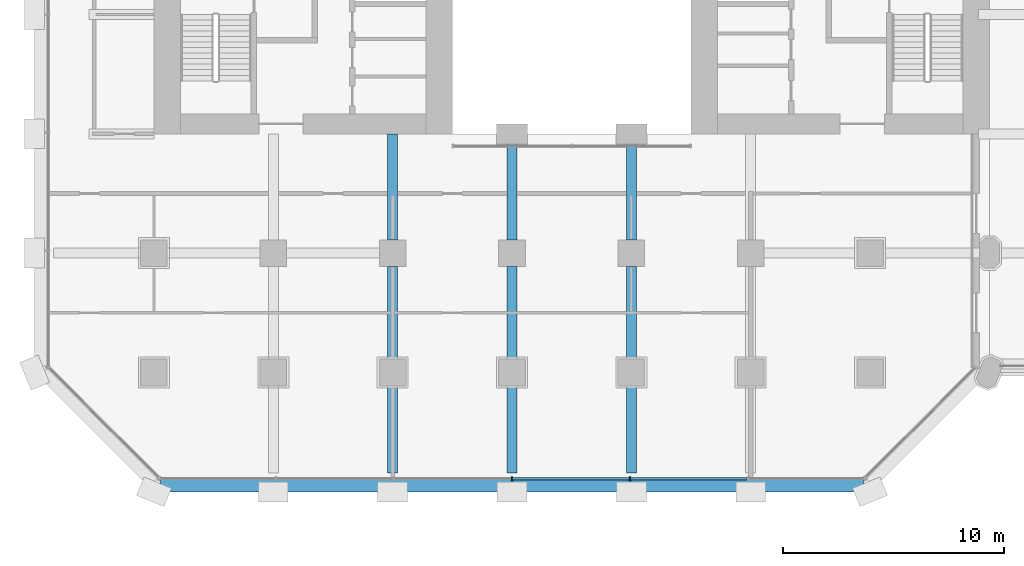
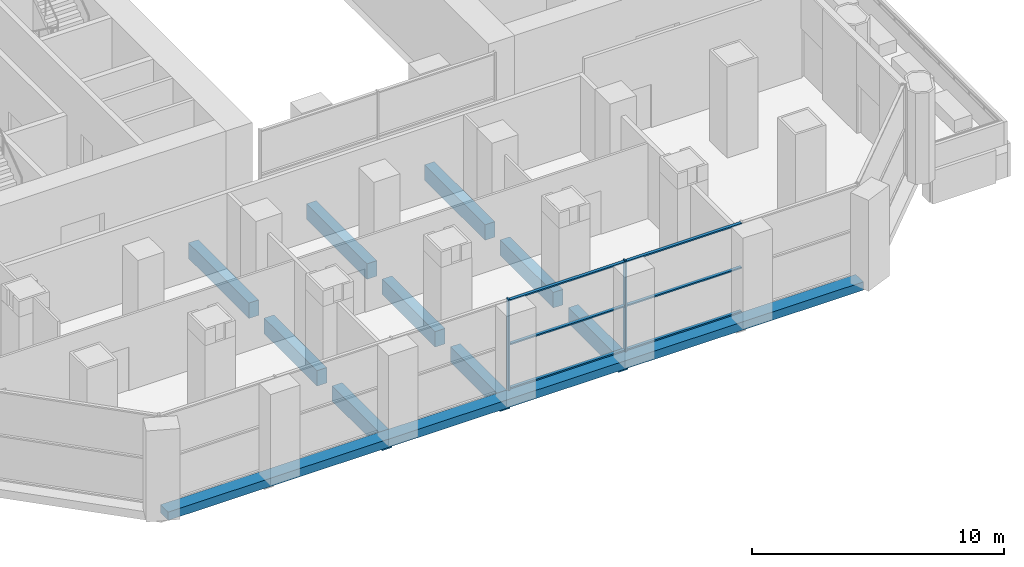
# One storey, part 3 of 42: 10 beams, 8 members, 1 element without a shape of its own.
"""IFC4 building model written with IfcOpenShell, lengths in metres."""

from ifc_helpers import new_model, si_unit, direction, frame, origin, origin_2d, place, context, subcontext, project, spatial, rectangle, extrude, material, material_profile, profile_set, type_object, element, aggregate, save


model = new_model("IFC4")

# Units and contexts
model_context = context("Model", 3, precision=1e-05, world=origin(), true_north=direction((0.0, 1.0)))
body_context = subcontext(model_context, "Body", "Model", "MODEL_VIEW")
ifc_project = project(units=[si_unit("LENGTHUNIT", "METRE"), si_unit("AREAUNIT", "SQUARE_METRE"), si_unit("VOLUMEUNIT", "CUBIC_METRE"), si_unit("PLANEANGLEUNIT", "RADIAN"), si_unit("MASSUNIT", "GRAM", prefix="KILO")], contexts=[model_context])

# Site, building, storey
site_placement = place(None, origin())
site = spatial("IfcSite", under=ifc_project, at=site_placement, CompositionType="ELEMENT")
building_placement = place(site_placement, origin())
building = spatial("IfcBuilding", under=site, at=building_placement, Name="Tabaq Tower and Sports Hall", CompositionType="ELEMENT")
storey_placement = place(building_placement, frame((0.0, 0.0, 19.800048828125)))
storey = spatial("IfcBuildingStorey", under=building, at=storey_placement, Name="L03", CompositionType="ELEMENT", Elevation=19.800048828125)

# Curtain wall, members
ifc_material_1 = material(Name="Aluminium alloy 6063-T6 framed glazing", Category="aluminium")
curtain_wall_type = type_object("IfcCurtainWallType", Name="CW7 curtain wall", PredefinedType="USERDEFINED", material=ifc_material_1)
curtain_wall_placement = place(storey_placement, origin())
curtain_wall = element("IfcCurtainWall", 1, at=curtain_wall_placement, inside=storey, type_object=curtain_wall_type, Name="Podium Wall L03 S", ObjectType="PODIUM WALL", PredefinedType="USERDEFINED")
ifc_material_2 = material(Name="Aluminium alloy 6063-T6", Category="aluminium")
ifc_material_profile_1 = material_profile(ifc_material_2, rectangle(XDim=0.179931640625, YDim=0.06494140625, at=origin_2d()), Name="MULLION 180x65")
ifc_profile_set_1 = profile_set([ifc_material_profile_1], Name="Aluminium alloy 6063-T6")
member_type_1 = type_object("IfcMemberType", Name="CW7 mullion 180x65", PredefinedType="MULLION", material=ifc_profile_set_1)
member_1_placement = place(storey_placement, frame((21.60009765625, 0.60009765625, 0.0), z_axis=(0.0, 0.0, 1.0), x_axis=(0.0, 1.0, 0.0)))
member_1 = element("IfcMember", 2, at=member_1_placement, type_object=member_type_1, Name="CW7 mullion 4", PredefinedType="MULLION", context=body_context, shape_type="SweptSolid", body=[
    extrude(rectangle(XDim=0.179931640625, YDim=0.06494140625, at=origin_2d()), origin(), (0.0, 0.0, 1.0), 4.39990234375),
])
member_2_placement = place(storey_placement, frame((26.93798828125, 0.60009765625, 0.0), z_axis=(0.0, 0.0, 1.0), x_axis=(0.0, 1.0, 0.0)))
member_2 = element("IfcMember", 3, at=member_2_placement, type_object=member_type_1, Name="CW7 mullion 5", PredefinedType="MULLION", context=body_context, shape_type="SweptSolid", body=[
    extrude(rectangle(XDim=0.179931640625, YDim=0.06494140625, at=origin_2d()), origin(), (0.0, 0.0, 1.0), 4.39990234375),
])
ifc_material_3 = material(Name="Aluminium alloy 6063-T6", Category="aluminium")
ifc_material_profile_2 = material_profile(ifc_material_3, rectangle(XDim=0.139892578125, YDim=0.06494140625, at=origin_2d()), Name="TRANSOM 140x65")
ifc_profile_set_2 = profile_set([ifc_material_profile_2], Name="Aluminium alloy 6063-T6")
member_type_2 = type_object("IfcMemberType", Name="CW7 transom 140x65", PredefinedType="USERDEFINED", material=ifc_profile_set_2)
member_3_placement = place(storey_placement, frame((21.632568359375, 0.60009765625, 0.070068359375), z_axis=(1.0, 0.0, 0.0), x_axis=(0.0, 1.0, 0.0)))
member_3 = element("IfcMember", 4, at=member_3_placement, type_object=member_type_2, Name="CW7 transom 4.1", ObjectType="TRANSOM", PredefinedType="USERDEFINED", context=body_context, shape_type="SweptSolid", body=[
    extrude(rectangle(XDim=0.139892578125, YDim=0.06494140625, at=origin_2d()), origin(), (0.0, 0.0, 1.0), 5.272705078125),
])
member_4_placement = place(storey_placement, frame((21.632568359375, 0.60009765625, 2.199951171875), z_axis=(1.0, 0.0, 0.0), x_axis=(0.0, 1.0, 0.0)))
member_4 = element("IfcMember", 5, at=member_4_placement, type_object=member_type_2, Name="CW7 transom 4.2", ObjectType="TRANSOM", PredefinedType="USERDEFINED", context=body_context, shape_type="SweptSolid", body=[
    extrude(rectangle(XDim=0.139892578125, YDim=0.06494140625, at=origin_2d()), origin(), (0.0, 0.0, 1.0), 5.272705078125),
])
member_5_placement = place(storey_placement, frame((21.632568359375, 0.60009765625, 4.329833984375), z_axis=(1.0, 0.0, 0.0), x_axis=(0.0, 1.0, 0.0)))
member_5 = element("IfcMember", 6, at=member_5_placement, type_object=member_type_2, Name="CW7 transom 4.3", ObjectType="TRANSOM", PredefinedType="USERDEFINED", context=body_context, shape_type="SweptSolid", body=[
    extrude(rectangle(XDim=0.139892578125, YDim=0.06494140625, at=origin_2d()), origin(), (0.0, 0.0, 1.0), 5.272705078125),
])
member_6_placement = place(storey_placement, frame((26.970458984375, 0.60009765625, 0.070068359375), z_axis=(1.0, 0.0, 0.0), x_axis=(0.0, 1.0, 0.0)))
member_6 = element("IfcMember", 7, at=member_6_placement, type_object=member_type_2, Name="CW7 transom 5.1", ObjectType="TRANSOM", PredefinedType="USERDEFINED", context=body_context, shape_type="SweptSolid", body=[
    extrude(rectangle(XDim=0.139892578125, YDim=0.06494140625, at=origin_2d()), origin(), (0.0, 0.0, 1.0), 5.272705078125),
])
member_7_placement = place(storey_placement, frame((26.970458984375, 0.60009765625, 2.199951171875), z_axis=(1.0, 0.0, 0.0), x_axis=(0.0, 1.0, 0.0)))
member_7 = element("IfcMember", 8, at=member_7_placement, type_object=member_type_2, Name="CW7 transom 5.2", ObjectType="TRANSOM", PredefinedType="USERDEFINED", context=body_context, shape_type="SweptSolid", body=[
    extrude(rectangle(XDim=0.139892578125, YDim=0.06494140625, at=origin_2d()), origin(), (0.0, 0.0, 1.0), 5.272705078125),
])
member_8_placement = place(storey_placement, frame((26.970458984375, 0.60009765625, 4.329833984375), z_axis=(1.0, 0.0, 0.0), x_axis=(0.0, 1.0, 0.0)))
member_8 = element("IfcMember", 9, at=member_8_placement, type_object=member_type_2, Name="CW7 transom 5.3", ObjectType="TRANSOM", PredefinedType="USERDEFINED", context=body_context, shape_type="SweptSolid", body=[
    extrude(rectangle(XDim=0.139892578125, YDim=0.06494140625, at=origin_2d()), origin(), (0.0, 0.0, 1.0), 5.272705078125),
])
aggregate(curtain_wall, [member_1, member_2, member_3, member_4, member_5, member_6, member_7, member_8])

# Beams
ifc_material_4 = material(Name="Concrete C40/50", Category="concrete")
ifc_material_profile_3 = material_profile(ifc_material_4, rectangle(XDim=0.449951171875, YDim=0.75, at=origin_2d()), Name="CB 450x750")
ifc_profile_set_3 = profile_set([ifc_material_profile_3], Name="Concrete C40/50")
beam_type_1 = type_object("IfcBeamType", Name="PT CANTILEVER BEAM CB 450x750 C40/50", PredefinedType="BEAM", material=ifc_profile_set_3)
beam_1_placement = place(storey_placement, frame((16.199951171875, 0.85009765625, -0.775146484375), z_axis=(0.0, 1.0, 0.0), x_axis=(-1.0, 0.0, 0.0)))
element("IfcBeam", 10, at=beam_1_placement, inside=storey, type_object=beam_type_1, Name="Cantilever Beam L03 S3 span 1", PredefinedType="BEAM", context=body_context, shape_type="SweptSolid", body=[
    extrude(rectangle(XDim=0.449951171875, YDim=0.75, at=origin_2d()), origin(), (0.0, 0.0, 1.0), 3.949951171875),
])
beam_2_placement = place(storey_placement, frame((16.199951171875, 6.0, -0.775146484375), z_axis=(0.0, 1.0, 0.0), x_axis=(-1.0, 0.0, 0.0)))
element("IfcBeam", 11, at=beam_2_placement, inside=storey, type_object=beam_type_1, Name="Cantilever Beam L03 S3 span 2", PredefinedType="BEAM", context=body_context, shape_type="SweptSolid", body=[
    extrude(rectangle(XDim=0.449951171875, YDim=0.75, at=origin_2d()), origin(), (0.0, 0.0, 1.0), 4.199951171875),
])
beam_3_placement = place(storey_placement, frame((16.199951171875, 11.39990234375, -0.775146484375), z_axis=(0.0, 1.0, 0.0), x_axis=(-1.0, 0.0, 0.0)))
element("IfcBeam", 12, at=beam_3_placement, inside=storey, type_object=beam_type_1, Name="Cantilever Beam L03 S3 span 3", PredefinedType="BEAM", context=body_context, shape_type="SweptSolid", body=[
    extrude(rectangle(XDim=0.449951171875, YDim=0.75, at=origin_2d()), origin(), (0.0, 0.0, 1.0), 4.800048828125),
])
beam_4_placement = place(storey_placement, frame((21.60009765625, 0.85009765625, -0.775146484375), z_axis=(0.0, 1.0, 0.0), x_axis=(-1.0, 0.0, 0.0)))
element("IfcBeam", 13, at=beam_4_placement, inside=storey, type_object=beam_type_1, Name="Cantilever Beam L03 S4 span 1", PredefinedType="BEAM", context=body_context, shape_type="SweptSolid", body=[
    extrude(rectangle(XDim=0.449951171875, YDim=0.75, at=origin_2d()), origin(), (0.0, 0.0, 1.0), 3.949951171875),
])
beam_5_placement = place(storey_placement, frame((21.60009765625, 6.0, -0.775146484375), z_axis=(0.0, 1.0, 0.0), x_axis=(-1.0, 0.0, 0.0)))
element("IfcBeam", 14, at=beam_5_placement, inside=storey, type_object=beam_type_1, Name="Cantilever Beam L03 S4 span 2", PredefinedType="BEAM", context=body_context, shape_type="SweptSolid", body=[
    extrude(rectangle(XDim=0.449951171875, YDim=0.75, at=origin_2d()), origin(), (0.0, 0.0, 1.0), 4.199951171875),
])
beam_6_placement = place(storey_placement, frame((21.60009765625, 11.39990234375, -0.775146484375), z_axis=(0.0, 1.0, 0.0), x_axis=(-1.0, 0.0, 0.0)))
element("IfcBeam", 15, at=beam_6_placement, inside=storey, type_object=beam_type_1, Name="Cantilever Beam L03 S4 span 3", PredefinedType="BEAM", context=body_context, shape_type="SweptSolid", body=[
    extrude(rectangle(XDim=0.449951171875, YDim=0.75, at=origin_2d()), origin(), (0.0, 0.0, 1.0), 4.800048828125),
])
beam_7_placement = place(storey_placement, frame((27.0, 0.85009765625, -0.775146484375), z_axis=(0.0, 1.0, 0.0), x_axis=(-1.0, 0.0, 0.0)))
element("IfcBeam", 16, at=beam_7_placement, inside=storey, type_object=beam_type_1, Name="Cantilever Beam L03 S5 span 1", PredefinedType="BEAM", context=body_context, shape_type="SweptSolid", body=[
    extrude(rectangle(XDim=0.449951171875, YDim=0.75, at=origin_2d()), origin(), (0.0, 0.0, 1.0), 3.949951171875),
])
beam_8_placement = place(storey_placement, frame((27.0, 6.0, -0.775146484375), z_axis=(0.0, 1.0, 0.0), x_axis=(-1.0, 0.0, 0.0)))
element("IfcBeam", 17, at=beam_8_placement, inside=storey, type_object=beam_type_1, Name="Cantilever Beam L03 S5 span 2", PredefinedType="BEAM", context=body_context, shape_type="SweptSolid", body=[
    extrude(rectangle(XDim=0.449951171875, YDim=0.75, at=origin_2d()), origin(), (0.0, 0.0, 1.0), 4.199951171875),
])
beam_9_placement = place(storey_placement, frame((27.0, 11.39990234375, -0.775146484375), z_axis=(0.0, 1.0, 0.0), x_axis=(-1.0, 0.0, 0.0)))
element("IfcBeam", 18, at=beam_9_placement, inside=storey, type_object=beam_type_1, Name="Cantilever Beam L03 S5 span 3", PredefinedType="BEAM", context=body_context, shape_type="SweptSolid", body=[
    extrude(rectangle(XDim=0.449951171875, YDim=0.75, at=origin_2d()), origin(), (0.0, 0.0, 1.0), 4.800048828125),
])
ifc_material_5 = material(Name="Concrete C40/50", Category="concrete")
ifc_material_profile_4 = material_profile(ifc_material_5, rectangle(XDim=0.60009765625, YDim=0.39990234375, at=origin_2d()), Name="EB 600x400")
ifc_profile_set_4 = profile_set([ifc_material_profile_4], Name="Concrete C40/50")
beam_type_2 = type_object("IfcBeamType", Name="PT EDGE BEAM EB 600x400 C40/50", PredefinedType="SPANDREL", material=ifc_profile_set_4)
beam_10_placement = place(storey_placement, frame((5.698486328125, 0.300048828125, -0.199951171875), z_axis=(1.0, 0.0, 0.0), x_axis=(0.0, 1.0, 0.0)))
element("IfcBeam", 19, at=beam_10_placement, inside=storey, type_object=beam_type_2, Name="Edge Beam L03 1", PredefinedType="SPANDREL", context=body_context, shape_type="SweptSolid", body=[
    extrude(rectangle(XDim=0.60009765625, YDim=0.39990234375, at=origin_2d()), origin(), (0.0, 0.0, 1.0), 31.802978515625),
])

save(model, "model.ifc")
